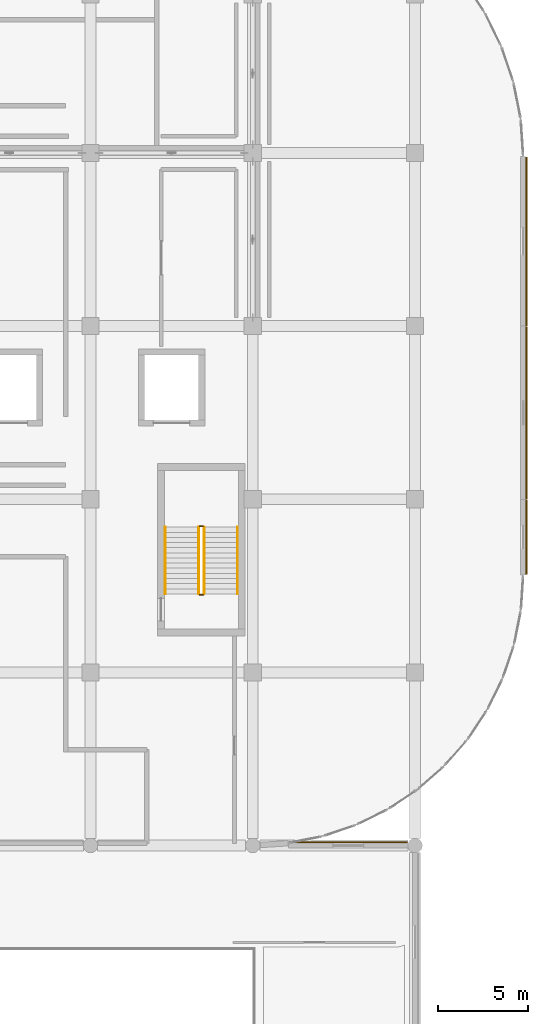
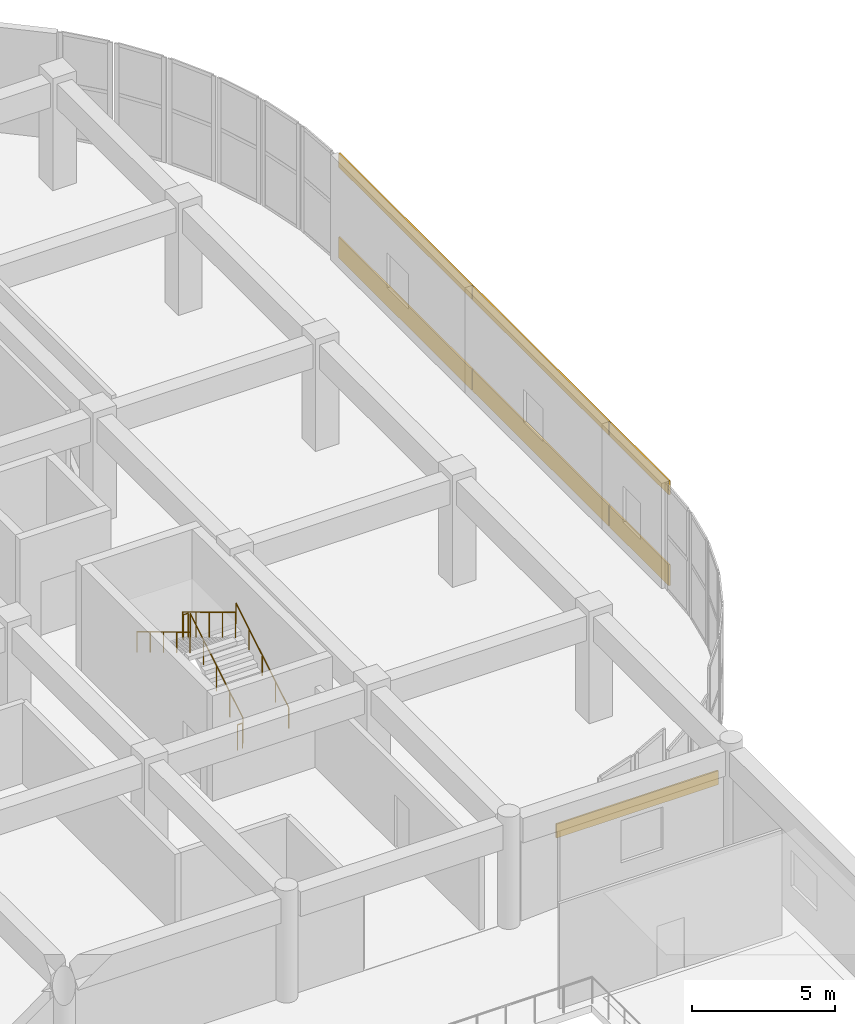
# One storey, part 84 of 86: 7 coverings, 6 railings.
"""IFC4 building model written with IfcOpenShell, lengths in metres."""

from ifc_helpers import new_model, si_unit, direction, frame, origin, origin_2d, place, context, subcontext, project, spatial, rectangle, circle, extrude, material, layer, layer_set, type_object, element, save


model = new_model("IFC4")

# Units and contexts
model_context = context("Model", 3, precision=1e-05, world=origin(), true_north=direction((0.0, 1.0)))
body_context = subcontext(model_context, "Body", "Model", "MODEL_VIEW")
ifc_project = project(units=[si_unit("LENGTHUNIT", "METRE"), si_unit("AREAUNIT", "SQUARE_METRE"), si_unit("VOLUMEUNIT", "CUBIC_METRE"), si_unit("PLANEANGLEUNIT", "RADIAN"), si_unit("MASSUNIT", "GRAM", prefix="KILO")], contexts=[model_context])

# Site, building, storey
site_placement = place(None, origin())
site = spatial("IfcSite", under=ifc_project, at=site_placement, CompositionType="ELEMENT")
building_placement = place(site_placement, origin())
building = spatial("IfcBuilding", under=site, at=building_placement, Name="Cendralis Terraced Arcade", CompositionType="ELEMENT")
storey_placement = place(building_placement, frame((0.0, 0.0, 5.39990234375)))
storey = spatial("IfcBuildingStorey", under=building, at=storey_placement, Name="L01", CompositionType="ELEMENT", Elevation=5.39990234375)

# Coverings
ifc_material_1 = material(Name="Precast concrete f'c 40 MPa", Category="concrete")
ifc_layer = layer(ifc_material_1, 0.06494140625, Name="COV-CLAD-GRC-65")
ifc_layer_set = layer_set([ifc_layer], Name="Precast concrete f'c 40 MPa")
covering_type = type_object("IfcCoveringType", Name="COV-CLAD-GRC-65", PredefinedType="CLADDING", material=ifc_layer_set)
covering_1_placement = place(storey_placement, frame((172.3798828125, 93.5, 0.000244140625), z_axis=(0.0, 0.0, 1.0), x_axis=(0.0, -1.0, 0.0)))
element("IfcCovering", 1, at=covering_1_placement, inside=storey, type_object=covering_type, Name="Banded Precast Stone Spandrel Cladding L01-151", PredefinedType="CLADDING", context=body_context, shape_type="SweptSolid", body=[
    extrude(rectangle(XDim=9.340087890625, YDim=0.06494140625, at=origin_2d()), origin(), (0.0, 0.0, 1.0), 0.89990234375),
])
covering_2_placement = place(storey_placement, frame((172.3798828125, 93.5, 3.885009765625), z_axis=(0.0, 0.0, 1.0), x_axis=(0.0, -1.0, 0.0)))
element("IfcCovering", 2, at=covering_2_placement, inside=storey, type_object=covering_type, Name="Banded Precast Stone Lintel Cladding L01-152", PredefinedType="CLADDING", context=body_context, shape_type="SweptSolid", body=[
    extrude(rectangle(XDim=9.340087890625, YDim=0.06494140625, at=origin_2d()), origin(), (0.0, 0.0, 1.0), 0.60009765625),
])
covering_3_placement = place(storey_placement, frame((172.3798828125, 84.0, 0.000244140625), z_axis=(0.0, 0.0, 1.0), x_axis=(0.0, -1.0, 0.0)))
element("IfcCovering", 3, at=covering_3_placement, inside=storey, type_object=covering_type, Name="Banded Precast Stone Spandrel Cladding L01-153", PredefinedType="CLADDING", context=body_context, shape_type="SweptSolid", body=[
    extrude(rectangle(XDim=9.5400390625, YDim=0.06494140625, at=origin_2d()), origin(), (0.0, 0.0, 1.0), 0.89990234375),
])
covering_4_placement = place(storey_placement, frame((172.3798828125, 84.0, 3.885009765625), z_axis=(0.0, 0.0, 1.0), x_axis=(0.0, -1.0, 0.0)))
element("IfcCovering", 4, at=covering_4_placement, inside=storey, type_object=covering_type, Name="Banded Precast Stone Lintel Cladding L01-154", PredefinedType="CLADDING", context=body_context, shape_type="SweptSolid", body=[
    extrude(rectangle(XDim=9.5400390625, YDim=0.06494140625, at=origin_2d()), origin(), (0.0, 0.0, 1.0), 0.60009765625),
])
covering_5_placement = place(storey_placement, frame((172.3798828125, 77.10009765625, 0.000244140625), z_axis=(0.0, 0.0, 1.0), x_axis=(0.0, -1.0, 0.0)))
element("IfcCovering", 5, at=covering_5_placement, inside=storey, type_object=covering_type, Name="Banded Precast Stone Spandrel Cladding L01-155", PredefinedType="CLADDING", context=body_context, shape_type="SweptSolid", body=[
    extrude(rectangle(XDim=4.139892578125, YDim=0.06494140625, at=origin_2d()), origin(), (0.0, 0.0, 1.0), 0.89990234375),
])
covering_6_placement = place(storey_placement, frame((172.3798828125, 77.10009765625, 3.885009765625), z_axis=(0.0, 0.0, 1.0), x_axis=(0.0, -1.0, 0.0)))
element("IfcCovering", 6, at=covering_6_placement, inside=storey, type_object=covering_type, Name="Banded Precast Stone Lintel Cladding L01-156", PredefinedType="CLADDING", context=body_context, shape_type="SweptSolid", body=[
    extrude(rectangle(XDim=4.139892578125, YDim=0.06494140625, at=origin_2d()), origin(), (0.0, 0.0, 1.0), 0.60009765625),
])
covering_7_placement = place(storey_placement, frame((162.494873046875, 60.179931640625, 2.824951171875), z_axis=(0.0, 0.0, 1.0), x_axis=(1.0, 0.0, 0.0)))
element("IfcCovering", 7, at=covering_7_placement, inside=storey, type_object=covering_type, Name="Banded Precast Stone Lintel Cladding L01-158", PredefinedType="CLADDING", context=body_context, shape_type="SweptSolid", body=[
    extrude(rectangle(XDim=6.55419921875, YDim=0.06494140625, at=origin_2d()), origin(), (0.0, 0.0, 1.0), 0.60009765625),
])

# Railings
ifc_material_2 = material(Name="Brushed stainless steel AISI 316", Category="steel")
railing_type_1 = type_object("IfcRailingType", Name="RL-STAIR-GUARD-1100", PredefinedType="GUARDRAIL", material=ifc_material_2)
railing_1_placement = place(storey_placement, frame((154.5, 73.949951171875, 0.171630859375)))
element("IfcRailing", 8, at=railing_1_placement, inside=storey, type_object=railing_type_1, Name="L01 ST-06 stair guard 1", PredefinedType="GUARDRAIL", context=body_context, shape_type="SweptSolid", body=[
    extrude(circle(Radius=0.02392578125, at=origin_2d()), frame((0.0, 0.0, 1.076171875), z_axis=(0.0, 0.856934400257, 0.515425487977), x_axis=(-1.0, 0.0, 0.0)), (0.0, 0.0, 1.0), 4.32373046875),
    extrude(circle(Radius=0.02099609375, at=origin_2d()), origin(), (0.0, 0.0, 1.0), 1.052001953125),
    extrude(circle(Radius=0.02099609375, at=origin_2d()), frame((0.0, 0.92626953125, 0.55712890625)), (0.0, 0.0, 1.0), 1.052001953125),
    extrude(circle(Radius=0.02099609375, at=origin_2d()), frame((0.0, 1.8525390625, 1.1142578125)), (0.0, 0.0, 1.0), 1.052001953125),
    extrude(circle(Radius=0.02099609375, at=origin_2d()), frame((0.0, 2.77880859375, 1.67138671875)), (0.0, 0.0, 1.0), 1.052001953125),
    extrude(circle(Radius=0.02099609375, at=origin_2d()), frame((0.0, 3.705078125, 2.228515625)), (0.0, 0.0, 1.0), 1.052001953125),
])
railing_2_placement = place(storey_placement, frame((154.449951171875, 77.705078125, 2.400146484375)))
element("IfcRailing", 9, at=railing_2_placement, inside=storey, type_object=railing_type_1, Name="L01 ST-06 stair guard 2", PredefinedType="GUARDRAIL", context=body_context, shape_type="SweptSolid", body=[
    extrude(circle(Radius=0.02392578125, at=origin_2d()), frame((0.0, 0.0, 1.076171875), z_axis=(-1.0, 0.0, 0.0), x_axis=(0.0, -1.0, 0.0)), (0.0, 0.0, 1.0), 0.199951171875),
    extrude(circle(Radius=0.02099609375, at=origin_2d()), origin(), (0.0, 0.0, 1.0), 1.052001953125),
    extrude(circle(Radius=0.02099609375, at=origin_2d()), frame((-0.199951171875, 0.0, 0.0)), (0.0, 0.0, 1.0), 1.052001953125),
])
railing_3_placement = place(storey_placement, frame((154.199951171875, 77.655029296875, 2.571533203125)))
element("IfcRailing", 10, at=railing_3_placement, inside=storey, type_object=railing_type_1, Name="L01 ST-06 stair guard 3", PredefinedType="GUARDRAIL", context=body_context, shape_type="SweptSolid", body=[
    extrude(circle(Radius=0.02392578125, at=origin_2d()), frame((0.0, 0.0, 1.076171875), z_axis=(0.0, -0.856934400257, 0.515425487977), x_axis=(1.0, 0.0, 0.0)), (0.0, 0.0, 1.0), 4.32373046875),
    extrude(circle(Radius=0.02099609375, at=origin_2d()), origin(), (0.0, 0.0, 1.0), 1.052001953125),
    extrude(circle(Radius=0.02099609375, at=origin_2d()), frame((0.0, -0.92626953125, 0.55712890625)), (0.0, 0.0, 1.0), 1.052001953125),
    extrude(circle(Radius=0.02099609375, at=origin_2d()), frame((0.0, -1.8525390625, 1.1142578125)), (0.0, 0.0, 1.0), 1.052001953125),
    extrude(circle(Radius=0.02099609375, at=origin_2d()), frame((0.0, -2.77880859375, 1.67138671875)), (0.0, 0.0, 1.0), 1.052001953125),
    extrude(circle(Radius=0.02099609375, at=origin_2d()), frame((0.0, -3.705078125, 2.228515625)), (0.0, 0.0, 1.0), 1.052001953125),
])
railing_4_placement = place(storey_placement, frame((154.449951171875, 73.89990234375, 0.0)))
element("IfcRailing", 11, at=railing_4_placement, inside=storey, type_object=railing_type_1, Name="L01 ST-06 stair guard 4", PredefinedType="GUARDRAIL", context=body_context, shape_type="SweptSolid", body=[
    extrude(circle(Radius=0.02392578125, at=origin_2d()), frame((0.0, 0.0, 1.076171875), z_axis=(-1.0, 0.0, 0.0), x_axis=(0.0, -1.0, 0.0)), (0.0, 0.0, 1.0), 0.199951171875),
    extrude(circle(Radius=0.02099609375, at=origin_2d()), origin(), (0.0, 0.0, 1.0), 1.052001953125),
    extrude(circle(Radius=0.02099609375, at=origin_2d()), frame((-0.199951171875, 0.0, 0.0)), (0.0, 0.0, 1.0), 1.052001953125),
])
railing_type_2 = type_object("IfcRailingType", Name="RL-STAIR-HAND-900", PredefinedType="HANDRAIL", material=ifc_material_2)
railing_5_placement = place(storey_placement, frame((156.35009765625, 73.949951171875, 0.171630859375)))
element("IfcRailing", 12, at=railing_5_placement, inside=storey, type_object=railing_type_2, Name="L01 ST-06 stair handrail 1", PredefinedType="HANDRAIL", context=body_context, shape_type="SweptSolid", body=[
    extrude(circle(Radius=0.02392578125, at=origin_2d()), frame((0.0, 0.0, 0.8759765625), z_axis=(0.0, 0.856934400257, 0.515425487977), x_axis=(-1.0, 0.0, 0.0)), (0.0, 0.0, 1.0), 4.32373046875),
    extrude(circle(Radius=0.02099609375, at=origin_2d()), origin(), (0.0, 0.0, 1.0), 0.851806640625),
    extrude(circle(Radius=0.02099609375, at=origin_2d()), frame((0.0, 0.92626953125, 0.55712890625)), (0.0, 0.0, 1.0), 0.851806640625),
    extrude(circle(Radius=0.02099609375, at=origin_2d()), frame((0.0, 1.8525390625, 1.1142578125)), (0.0, 0.0, 1.0), 0.851806640625),
    extrude(circle(Radius=0.02099609375, at=origin_2d()), frame((0.0, 2.77880859375, 1.67138671875)), (0.0, 0.0, 1.0), 0.851806640625),
    extrude(circle(Radius=0.02099609375, at=origin_2d()), frame((0.0, 3.705078125, 2.228515625)), (0.0, 0.0, 1.0), 0.851806640625),
])
railing_6_placement = place(storey_placement, frame((152.35009765625, 77.655029296875, 2.571533203125)))
element("IfcRailing", 13, at=railing_6_placement, inside=storey, type_object=railing_type_2, Name="L01 ST-06 stair handrail 2", PredefinedType="HANDRAIL", context=body_context, shape_type="SweptSolid", body=[
    extrude(circle(Radius=0.02392578125, at=origin_2d()), frame((0.0, 0.0, 0.8759765625), z_axis=(0.0, -0.856934400257, 0.515425487977), x_axis=(1.0, 0.0, 0.0)), (0.0, 0.0, 1.0), 4.32373046875),
    extrude(circle(Radius=0.02099609375, at=origin_2d()), origin(), (0.0, 0.0, 1.0), 0.851806640625),
    extrude(circle(Radius=0.02099609375, at=origin_2d()), frame((0.0, -0.92626953125, 0.55712890625)), (0.0, 0.0, 1.0), 0.851806640625),
    extrude(circle(Radius=0.02099609375, at=origin_2d()), frame((0.0, -1.8525390625, 1.1142578125)), (0.0, 0.0, 1.0), 0.851806640625),
    extrude(circle(Radius=0.02099609375, at=origin_2d()), frame((0.0, -2.77880859375, 1.67138671875)), (0.0, 0.0, 1.0), 0.851806640625),
    extrude(circle(Radius=0.02099609375, at=origin_2d()), frame((0.0, -3.705078125, 2.228515625)), (0.0, 0.0, 1.0), 0.851806640625),
])

save(model, "model.ifc")
